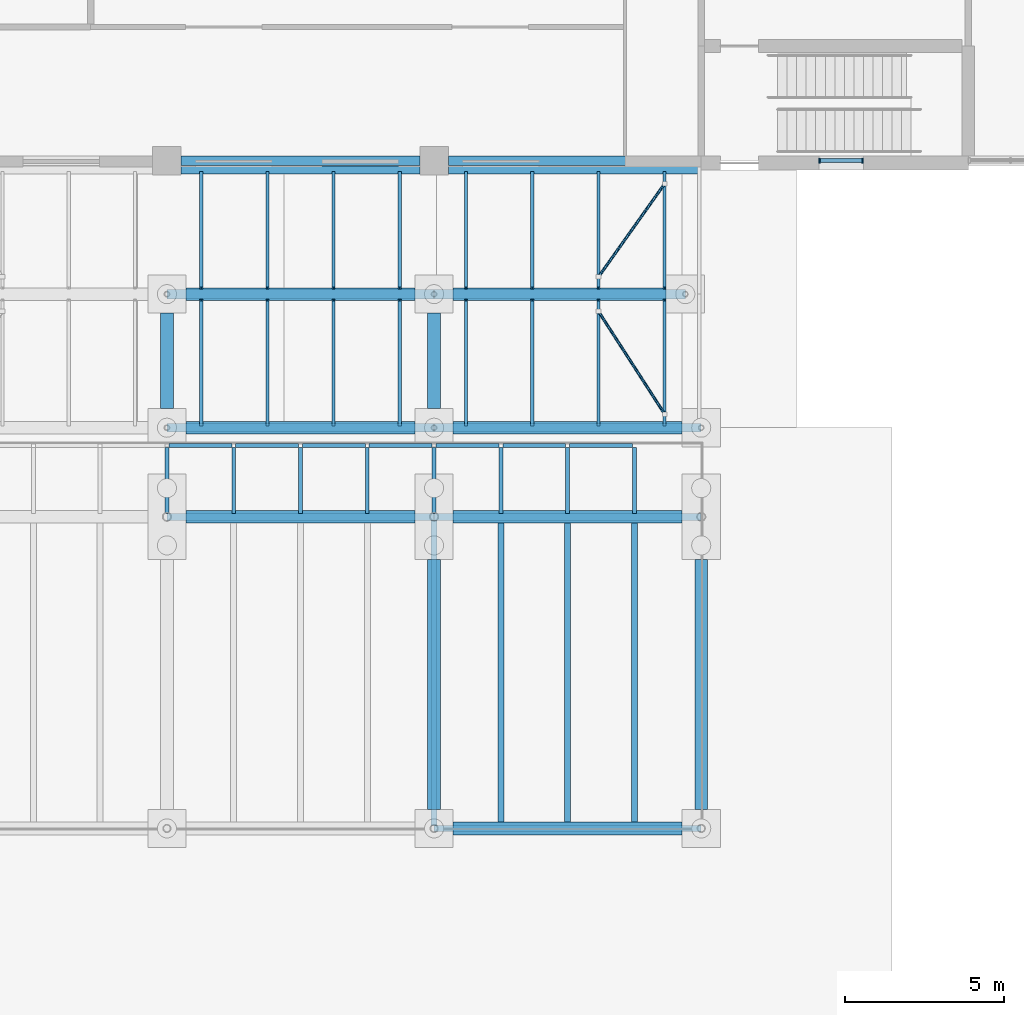
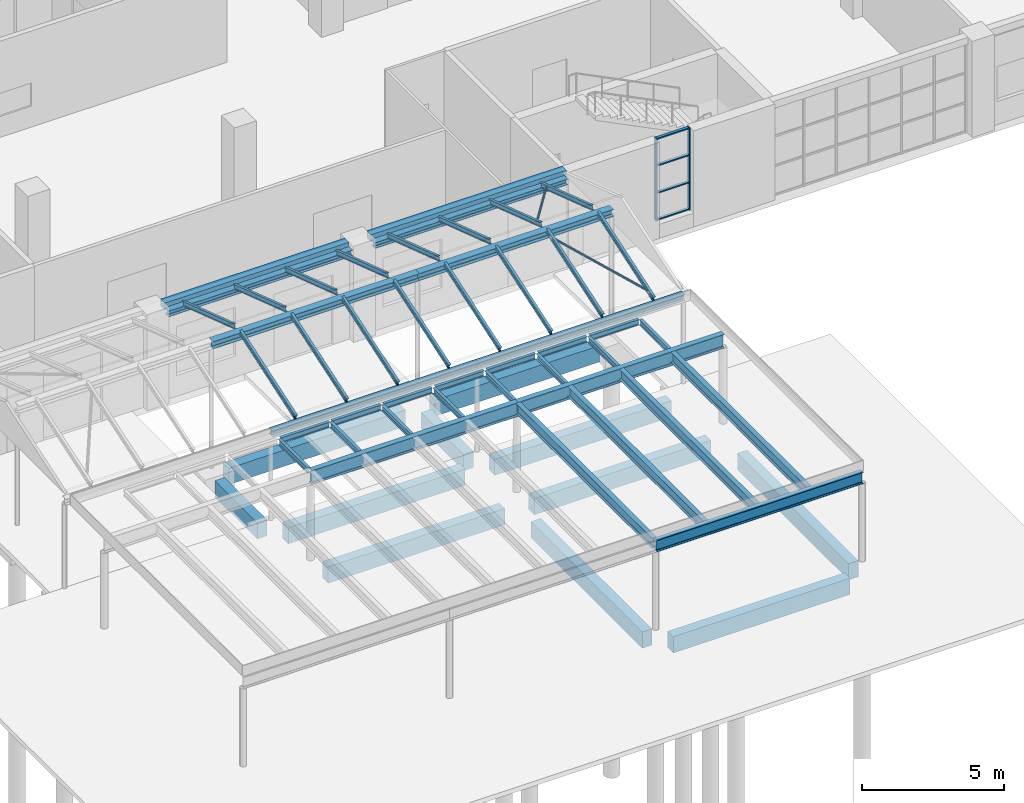
# One storey, part 35 of 138: 57 beams, 8 members, 1 element without a shape of its own.
"""IFC4 building model written with IfcOpenShell, lengths in metres."""

from ifc_helpers import new_model, si_unit, direction, frame, origin, origin_2d, place, context, subcontext, project, spatial, rectangle, hollow_circle, i_section, extrude, material, material_profile, profile_set, type_object, element, aggregate, save


model = new_model("IFC4")

# Units and contexts
model_context = context("Model", 3, precision=1e-05, world=origin(), true_north=direction((0.0, 1.0)))
body_context = subcontext(model_context, "Body", "Model", "MODEL_VIEW")
ifc_project = project(units=[si_unit("LENGTHUNIT", "METRE"), si_unit("AREAUNIT", "SQUARE_METRE"), si_unit("VOLUMEUNIT", "CUBIC_METRE"), si_unit("PLANEANGLEUNIT", "RADIAN"), si_unit("MASSUNIT", "GRAM", prefix="KILO")], contexts=[model_context])

# Site, building, storey
site_placement = place(None, origin())
site = spatial("IfcSite", under=ifc_project, at=site_placement, CompositionType="ELEMENT")
building_placement = place(site_placement, origin())
building = spatial("IfcBuilding", under=site, at=building_placement, Name="Yavir Park General Hospital", CompositionType="ELEMENT")
storey_placement = place(building_placement, origin())
storey = spatial("IfcBuildingStorey", under=building, at=storey_placement, Name="L00", CompositionType="ELEMENT", Elevation=0.0)

# Members
ifc_material_1 = material(Name="Steel S355", Category="steel")
ifc_material_profile_1 = material_profile(ifc_material_1, hollow_circle(Radius=0.04443359375, WallThickness=0.0048828125, at=origin_2d()), Name="CHS88.9x5")
ifc_profile_set_1 = profile_set([ifc_material_profile_1], Name="Steel S355")
member_type_1 = type_object("IfcMemberType", Name="CHS 88.9x5 roof brace", PredefinedType="BRACE", material=ifc_profile_set_1)
member_1_placement = place(storey_placement, frame((99.64990234375, -7.970947265625, 4.07958984375), z_axis=(-0.521743749393, 0.809323862228, 0.269774620743), x_axis=(-0.840486152676, -0.541833025166, 0.0)))
element("IfcMember", 1, at=member_1_placement, inside=storey, type_object=member_type_1, Name="RF:PORCH:frame:X:1", PredefinedType="BRACE", context=body_context, shape_type="SweptSolid", body=[
    extrude(hollow_circle(Radius=0.04443359375, WallThickness=0.0048828125, at=origin_2d()), origin(), (0.0, 0.0, 1.0), 3.989990234375),
])
member_2_placement = place(storey_placement, frame((99.64990234375, -0.72900390625, 4.179443359375), z_axis=(-0.558999459542, -0.786611295302, 0.262225617236), x_axis=(0.815135669052, -0.579270093341, 0.0)))
element("IfcMember", 2, at=member_2_placement, inside=storey, type_object=member_type_1, Name="RF:PORCH:frame:X:3", PredefinedType="BRACE", context=body_context, shape_type="SweptSolid", body=[
    extrude(hollow_circle(Radius=0.04443359375, WallThickness=0.0048828125, at=origin_2d()), origin(), (0.0, 0.0, 1.0), 3.72412109375),
])

# Beams
ifc_material_2 = material(Name="Steel S355", Category="steel")
ifc_material_profile_2 = material_profile(ifc_material_2, i_section(OverallWidth=0.260009765625, OverallDepth=0.25, WebThickness=0.007568359375, FlangeThickness=0.012451171875, FilletRadius=0.02392578125, at=origin_2d()), Name="HEA260")
ifc_profile_set_2 = profile_set([ifc_material_profile_2], Name="Steel S355")
beam_type_1 = type_object("IfcBeamType", Name="HEA 260 eave beam", PredefinedType="BEAM", material=ifc_profile_set_2)
beam_1_placement = place(storey_placement, frame((84.0, -8.39990234375, 3.741943359375), z_axis=(1.0, 0.0, 0.0), x_axis=(0.0, 1.0, 0.0)))
element("IfcBeam", 3, at=beam_1_placement, inside=storey, type_object=beam_type_1, Name="RF:PORCH:frame:E:1", PredefinedType="BEAM", context=body_context, shape_type="SweptSolid", body=[
    extrude(i_section(OverallWidth=0.260009765625, OverallDepth=0.25, WebThickness=0.007568359375, FlangeThickness=0.012451171875, FilletRadius=0.02392578125, at=origin_2d()), origin(), (0.0, 0.0, 1.0), 8.39990234375),
])
beam_2_placement = place(storey_placement, frame((92.39990234375, -8.39990234375, 3.741943359375), z_axis=(1.0, 0.0, 0.0), x_axis=(0.0, 1.0, 0.0)))
element("IfcBeam", 4, at=beam_2_placement, inside=storey, type_object=beam_type_1, Name="RF:PORCH:frame:E:2", PredefinedType="BEAM", context=body_context, shape_type="SweptSolid", body=[
    extrude(i_section(OverallWidth=0.260009765625, OverallDepth=0.25, WebThickness=0.007568359375, FlangeThickness=0.012451171875, FilletRadius=0.02392578125, at=origin_2d()), origin(), (0.0, 0.0, 1.0), 8.400146484375),
])
beam_3_placement = place(storey_placement, frame((84.449951171875, -0.300048828125, 3.842041015625), z_axis=(1.0, 0.0, 0.0), x_axis=(0.0, 1.0, 0.0)))
element("IfcBeam", 5, at=beam_3_placement, inside=storey, type_object=beam_type_1, Name="RF:PORCH:frame:E:4", PredefinedType="BEAM", context=body_context, shape_type="SweptSolid", body=[
    extrude(i_section(OverallWidth=0.260009765625, OverallDepth=0.25, WebThickness=0.007568359375, FlangeThickness=0.012451171875, FilletRadius=0.02392578125, at=origin_2d()), origin(), (0.0, 0.0, 1.0), 7.5),
])
beam_4_placement = place(storey_placement, frame((92.85009765625, -0.300048828125, 3.842041015625), z_axis=(1.0, 0.0, 0.0), x_axis=(0.0, 1.0, 0.0)))
element("IfcBeam", 6, at=beam_4_placement, inside=storey, type_object=beam_type_1, Name="RF:PORCH:frame:E:5", PredefinedType="BEAM", context=body_context, shape_type="SweptSolid", body=[
    extrude(i_section(OverallWidth=0.260009765625, OverallDepth=0.25, WebThickness=0.007568359375, FlangeThickness=0.012451171875, FilletRadius=0.02392578125, at=origin_2d()), origin(), (0.0, 0.0, 1.0), 7.849853515625),
])
ifc_material_3 = material(Name="Steel S355", Category="steel")
ifc_material_profile_3 = material_profile(ifc_material_3, i_section(OverallWidth=0.300048828125, OverallDepth=0.31005859375, WebThickness=0.009033203125, FlangeThickness=0.015380859375, FilletRadius=0.027099609375, at=origin_2d()), Name="HEA320")
ifc_profile_set_3 = profile_set([ifc_material_profile_3], Name="Steel S355")
beam_type_2 = type_object("IfcBeamType", Name="HEA 320 ridge beam", PredefinedType="BEAM", material=ifc_profile_set_3)
beam_5_placement = place(storey_placement, frame((84.0, -4.199951171875, 5.02587890625), z_axis=(1.0, 0.0, 0.0), x_axis=(0.0, 1.0, 0.0)))
element("IfcBeam", 7, at=beam_5_placement, inside=storey, type_object=beam_type_2, Name="RF:PORCH:frame:G:1", PredefinedType="BEAM", context=body_context, shape_type="SweptSolid", body=[
    extrude(i_section(OverallWidth=0.300048828125, OverallDepth=0.31005859375, WebThickness=0.009033203125, FlangeThickness=0.015380859375, FilletRadius=0.027099609375, at=origin_2d()), origin(), (0.0, 0.0, 1.0), 8.39990234375),
])
beam_6_placement = place(storey_placement, frame((92.39990234375, -4.199951171875, 5.02587890625), z_axis=(1.0, 0.0, 0.0), x_axis=(0.0, 1.0, 0.0)))
element("IfcBeam", 8, at=beam_6_placement, inside=storey, type_object=beam_type_2, Name="RF:PORCH:frame:G:2", PredefinedType="BEAM", context=body_context, shape_type="SweptSolid", body=[
    extrude(i_section(OverallWidth=0.300048828125, OverallDepth=0.31005859375, WebThickness=0.009033203125, FlangeThickness=0.015380859375, FilletRadius=0.027099609375, at=origin_2d()), origin(), (0.0, 0.0, 1.0), 7.900146484375),
])
ifc_material_4 = material(Name="Steel S355", Category="steel")
ifc_material_profile_4 = material_profile(ifc_material_4, i_section(OverallWidth=0.10009765625, OverallDepth=0.199951171875, WebThickness=0.005615234375, FlangeThickness=0.008544921875, FilletRadius=0.011962890625, at=origin_2d()), Name="IPE200")
ifc_profile_set_4 = profile_set([ifc_material_profile_4], Name="Steel S355")
beam_type_3 = type_object("IfcBeamType", Name="IPE 200 rafter", PredefinedType="JOIST", material=ifc_profile_set_4)
beam_7_placement = place(storey_placement, frame((85.077392578125, -8.32080078125, 3.962890625), z_axis=(0.0, 0.948677403283, 0.316245449771), x_axis=(-1.0, 0.0, 0.0)))
element("IfcBeam", 9, at=beam_7_placement, inside=storey, type_object=beam_type_3, Name="RF:PORCH:frame:R:8", PredefinedType="JOIST", context=body_context, shape_type="SweptSolid", body=[
    extrude(i_section(OverallWidth=0.10009765625, OverallDepth=0.199951171875, WebThickness=0.005615234375, FlangeThickness=0.008544921875, FilletRadius=0.011962890625, at=origin_2d()), origin(), (0.0, 0.0, 1.0), 4.141845703125),
])
beam_8_placement = place(storey_placement, frame((85.077392578125, -4.00830078125, 5.272705078125), z_axis=(0.0, 0.948664150718, -0.316285202217), x_axis=(-1.0, 0.0, 0.0)))
element("IfcBeam", 10, at=beam_8_placement, inside=storey, type_object=beam_type_3, Name="RF:PORCH:frame:R:9", PredefinedType="JOIST", context=body_context, shape_type="SweptSolid", body=[
    extrude(i_section(OverallWidth=0.10009765625, OverallDepth=0.199951171875, WebThickness=0.005615234375, FlangeThickness=0.008544921875, FilletRadius=0.011962890625, at=origin_2d()), origin(), (0.0, 0.0, 1.0), 3.825439453125),
])
beam_9_placement = place(storey_placement, frame((87.1591796875, -8.32080078125, 3.962890625), z_axis=(0.0, 0.948677403283, 0.316245449771), x_axis=(-1.0, 0.0, 0.0)))
element("IfcBeam", 11, at=beam_9_placement, inside=storey, type_object=beam_type_3, Name="RF:PORCH:frame:R:10", PredefinedType="JOIST", context=body_context, shape_type="SweptSolid", body=[
    extrude(i_section(OverallWidth=0.10009765625, OverallDepth=0.199951171875, WebThickness=0.005615234375, FlangeThickness=0.008544921875, FilletRadius=0.011962890625, at=origin_2d()), origin(), (0.0, 0.0, 1.0), 4.141845703125),
])
beam_10_placement = place(storey_placement, frame((87.1591796875, -4.00830078125, 5.272705078125), z_axis=(0.0, 0.948664150718, -0.316285202217), x_axis=(-1.0, 0.0, 0.0)))
element("IfcBeam", 12, at=beam_10_placement, inside=storey, type_object=beam_type_3, Name="RF:PORCH:frame:R:11", PredefinedType="JOIST", context=body_context, shape_type="SweptSolid", body=[
    extrude(i_section(OverallWidth=0.10009765625, OverallDepth=0.199951171875, WebThickness=0.005615234375, FlangeThickness=0.008544921875, FilletRadius=0.011962890625, at=origin_2d()), origin(), (0.0, 0.0, 1.0), 3.825439453125),
])
beam_11_placement = place(storey_placement, frame((89.240966796875, -8.32080078125, 3.962890625), z_axis=(0.0, 0.948677403283, 0.316245449771), x_axis=(-1.0, 0.0, 0.0)))
element("IfcBeam", 13, at=beam_11_placement, inside=storey, type_object=beam_type_3, Name="RF:PORCH:frame:R:12", PredefinedType="JOIST", context=body_context, shape_type="SweptSolid", body=[
    extrude(i_section(OverallWidth=0.10009765625, OverallDepth=0.199951171875, WebThickness=0.005615234375, FlangeThickness=0.008544921875, FilletRadius=0.011962890625, at=origin_2d()), origin(), (0.0, 0.0, 1.0), 4.141845703125),
])
beam_12_placement = place(storey_placement, frame((89.240966796875, -4.00830078125, 5.272705078125), z_axis=(0.0, 0.948664150718, -0.316285202217), x_axis=(-1.0, 0.0, 0.0)))
element("IfcBeam", 14, at=beam_12_placement, inside=storey, type_object=beam_type_3, Name="RF:PORCH:frame:R:13", PredefinedType="JOIST", context=body_context, shape_type="SweptSolid", body=[
    extrude(i_section(OverallWidth=0.10009765625, OverallDepth=0.199951171875, WebThickness=0.005615234375, FlangeThickness=0.008544921875, FilletRadius=0.011962890625, at=origin_2d()), origin(), (0.0, 0.0, 1.0), 3.825439453125),
])
beam_13_placement = place(storey_placement, frame((91.32275390625, -8.32080078125, 3.962890625), z_axis=(0.0, 0.948677403283, 0.316245449771), x_axis=(-1.0, 0.0, 0.0)))
element("IfcBeam", 15, at=beam_13_placement, inside=storey, type_object=beam_type_3, Name="RF:PORCH:frame:R:14", PredefinedType="JOIST", context=body_context, shape_type="SweptSolid", body=[
    extrude(i_section(OverallWidth=0.10009765625, OverallDepth=0.199951171875, WebThickness=0.005615234375, FlangeThickness=0.008544921875, FilletRadius=0.011962890625, at=origin_2d()), origin(), (0.0, 0.0, 1.0), 4.141845703125),
])
beam_14_placement = place(storey_placement, frame((91.32275390625, -4.00830078125, 5.272705078125), z_axis=(0.0, 0.948664150718, -0.316285202217), x_axis=(-1.0, 0.0, 0.0)))
element("IfcBeam", 16, at=beam_14_placement, inside=storey, type_object=beam_type_3, Name="RF:PORCH:frame:R:15", PredefinedType="JOIST", context=body_context, shape_type="SweptSolid", body=[
    extrude(i_section(OverallWidth=0.10009765625, OverallDepth=0.199951171875, WebThickness=0.005615234375, FlangeThickness=0.008544921875, FilletRadius=0.011962890625, at=origin_2d()), origin(), (0.0, 0.0, 1.0), 3.825439453125),
])
beam_15_placement = place(storey_placement, frame((93.404541015625, -8.32080078125, 3.962890625), z_axis=(0.0, 0.948677403283, 0.316245449771), x_axis=(-1.0, 0.0, 0.0)))
element("IfcBeam", 17, at=beam_15_placement, inside=storey, type_object=beam_type_3, Name="RF:PORCH:frame:R:16", PredefinedType="JOIST", context=body_context, shape_type="SweptSolid", body=[
    extrude(i_section(OverallWidth=0.10009765625, OverallDepth=0.199951171875, WebThickness=0.005615234375, FlangeThickness=0.008544921875, FilletRadius=0.011962890625, at=origin_2d()), origin(), (0.0, 0.0, 1.0), 4.141845703125),
])
beam_16_placement = place(storey_placement, frame((93.404541015625, -4.00830078125, 5.272705078125), z_axis=(0.0, 0.948664150718, -0.316285202217), x_axis=(-1.0, 0.0, 0.0)))
element("IfcBeam", 18, at=beam_16_placement, inside=storey, type_object=beam_type_3, Name="RF:PORCH:frame:R:17", PredefinedType="JOIST", context=body_context, shape_type="SweptSolid", body=[
    extrude(i_section(OverallWidth=0.10009765625, OverallDepth=0.199951171875, WebThickness=0.005615234375, FlangeThickness=0.008544921875, FilletRadius=0.011962890625, at=origin_2d()), origin(), (0.0, 0.0, 1.0), 3.825439453125),
])
beam_17_placement = place(storey_placement, frame((95.486328125, -8.32080078125, 3.962890625), z_axis=(0.0, 0.948677403283, 0.316245449771), x_axis=(-1.0, 0.0, 0.0)))
element("IfcBeam", 19, at=beam_17_placement, inside=storey, type_object=beam_type_3, Name="RF:PORCH:frame:R:18", PredefinedType="JOIST", context=body_context, shape_type="SweptSolid", body=[
    extrude(i_section(OverallWidth=0.10009765625, OverallDepth=0.199951171875, WebThickness=0.005615234375, FlangeThickness=0.008544921875, FilletRadius=0.011962890625, at=origin_2d()), origin(), (0.0, 0.0, 1.0), 4.141845703125),
])
beam_18_placement = place(storey_placement, frame((95.486328125, -4.00830078125, 5.272705078125), z_axis=(0.0, 0.948664150718, -0.316285202217), x_axis=(-1.0, 0.0, 0.0)))
element("IfcBeam", 20, at=beam_18_placement, inside=storey, type_object=beam_type_3, Name="RF:PORCH:frame:R:19", PredefinedType="JOIST", context=body_context, shape_type="SweptSolid", body=[
    extrude(i_section(OverallWidth=0.10009765625, OverallDepth=0.199951171875, WebThickness=0.005615234375, FlangeThickness=0.008544921875, FilletRadius=0.011962890625, at=origin_2d()), origin(), (0.0, 0.0, 1.0), 3.825439453125),
])
beam_19_placement = place(storey_placement, frame((97.568115234375, -8.32080078125, 3.962890625), z_axis=(0.0, 0.948677403283, 0.316245449771), x_axis=(-1.0, 0.0, 0.0)))
element("IfcBeam", 21, at=beam_19_placement, inside=storey, type_object=beam_type_3, Name="RF:PORCH:frame:R:20", PredefinedType="JOIST", context=body_context, shape_type="SweptSolid", body=[
    extrude(i_section(OverallWidth=0.10009765625, OverallDepth=0.199951171875, WebThickness=0.005615234375, FlangeThickness=0.008544921875, FilletRadius=0.011962890625, at=origin_2d()), origin(), (0.0, 0.0, 1.0), 4.141845703125),
])
beam_20_placement = place(storey_placement, frame((97.568115234375, -4.00830078125, 5.272705078125), z_axis=(0.0, 0.948664150718, -0.316285202217), x_axis=(-1.0, 0.0, 0.0)))
element("IfcBeam", 22, at=beam_20_placement, inside=storey, type_object=beam_type_3, Name="RF:PORCH:frame:R:21", PredefinedType="JOIST", context=body_context, shape_type="SweptSolid", body=[
    extrude(i_section(OverallWidth=0.10009765625, OverallDepth=0.199951171875, WebThickness=0.005615234375, FlangeThickness=0.008544921875, FilletRadius=0.011962890625, at=origin_2d()), origin(), (0.0, 0.0, 1.0), 3.825439453125),
])
beam_21_placement = place(storey_placement, frame((99.64990234375, -8.32080078125, 3.962890625), z_axis=(0.0, 0.948677403283, 0.316245449771), x_axis=(-1.0, 0.0, 0.0)))
element("IfcBeam", 23, at=beam_21_placement, inside=storey, type_object=beam_type_3, Name="RF:PORCH:frame:R:22", PredefinedType="JOIST", context=body_context, shape_type="SweptSolid", body=[
    extrude(i_section(OverallWidth=0.10009765625, OverallDepth=0.199951171875, WebThickness=0.005615234375, FlangeThickness=0.008544921875, FilletRadius=0.011962890625, at=origin_2d()), origin(), (0.0, 0.0, 1.0), 4.141845703125),
])
beam_22_placement = place(storey_placement, frame((99.64990234375, -4.00830078125, 5.272705078125), z_axis=(0.0, 0.948664150718, -0.316285202217), x_axis=(-1.0, 0.0, 0.0)))
element("IfcBeam", 24, at=beam_22_placement, inside=storey, type_object=beam_type_3, Name="RF:PORCH:frame:R:23", PredefinedType="JOIST", context=body_context, shape_type="SweptSolid", body=[
    extrude(i_section(OverallWidth=0.10009765625, OverallDepth=0.199951171875, WebThickness=0.005615234375, FlangeThickness=0.008544921875, FilletRadius=0.011962890625, at=origin_2d()), origin(), (0.0, 0.0, 1.0), 3.825439453125),
])
ifc_material_5 = material(Name="Steel S355", Category="steel")
ifc_material_profile_5 = material_profile(ifc_material_5, i_section(OverallWidth=0.1201171875, OverallDepth=0.239990234375, WebThickness=0.006103515625, FlangeThickness=0.009765625, FilletRadius=0.014892578125, at=origin_2d()), Name="IPE240")
ifc_profile_set_5 = profile_set([ifc_material_profile_5], Name="Steel S355")
beam_type_4 = type_object("IfcBeamType", Name="IPE 240 cantilever secondary beam, up to 2.5 m", PredefinedType="JOIST", material=ifc_profile_set_5)
for number, where, z_axis, x_axis, name in (
    (25, (84.0, -9.02001953125, 3.72998046875), (0.0, -1.0, 0.0), (1.0, 0.0, 0.0), "B:DROP:J4-0"),
    (26, (86.10009765625, -9.02001953125, 3.72998046875), (0.0, -1.0, 0.0), (1.0, 0.0, 0.0), "B:DROP:J5-0"),
    (27, (88.199951171875, -9.02001953125, 3.72998046875), (0.0, -1.0, 0.0), (1.0, 0.0, 0.0), "B:DROP:J6-0"),
    (28, (90.300048828125, -9.02001953125, 3.72998046875), (0.0, -1.0, 0.0), (1.0, 0.0, 0.0), "B:DROP:J7-0"),
    (29, (92.39990234375, -9.02001953125, 3.72998046875), (0.0, -1.0, 0.0), (1.0, 0.0, 0.0), "B:DROP:J8-0"),
    (30, (94.5, -9.02001953125, 3.72998046875), (0.0, -1.0, 0.0), (1.0, 0.0, 0.0), "B:DROP:J9-0"),
    (31, (96.60009765625, -9.02001953125, 3.72998046875), (0.0, -1.0, 0.0), (1.0, 0.0, 0.0), "B:DROP:J10-0"),
    (32, (98.699951171875, -9.02001953125, 3.72998046875), (0.0, -1.0, 0.0), (1.0, 0.0, 0.0), "B:DROP:J11-0"),
):
    element("IfcBeam", number, at=place(storey_placement, frame(where, z_axis=z_axis, x_axis=x_axis)), inside=storey, type_object=beam_type_4, Name=name, PredefinedType="JOIST", context=body_context, shape_type="SweptSolid", body=[
        extrude(i_section(OverallWidth=0.1201171875, OverallDepth=0.239990234375, WebThickness=0.006103515625, FlangeThickness=0.009765625, FilletRadius=0.014892578125, at=origin_2d()), origin(), (0.0, 0.0, 1.0), 2.070068359375),
    ])
ifc_material_6 = material(Name="Steel S355", Category="steel")
ifc_material_profile_6 = material_profile(ifc_material_6, i_section(OverallWidth=0.1201171875, OverallDepth=0.239990234375, WebThickness=0.006103515625, FlangeThickness=0.009765625, FilletRadius=0.014892578125, at=origin_2d()), Name="IPE240")
ifc_profile_set_6 = profile_set([ifc_material_profile_6], Name="Steel S355")
beam_type_5 = type_object("IfcBeamType", Name="IPE 240 edge trimmer, up to 2 m span", PredefinedType="BEAM", material=ifc_profile_set_6)
for number, where, z_axis, x_axis, name in (
    (33, (84.06005859375, -8.9599609375, 3.72998046875), (1.0, 0.0, 0.0), (0.0, 1.0, 0.0), "B:DROP:T4"),
    (34, (86.159912109375, -8.9599609375, 3.72998046875), (1.0, 0.0, 0.0), (0.0, 1.0, 0.0), "B:DROP:T5"),
    (35, (88.260009765625, -8.9599609375, 3.72998046875), (1.0, 0.0, 0.0), (0.0, 1.0, 0.0), "B:DROP:T6"),
    (36, (90.360107421875, -8.9599609375, 3.72998046875), (1.0, 0.0, 0.0), (0.0, 1.0, 0.0), "B:DROP:T7"),
    (37, (92.4599609375, -8.9599609375, 3.72998046875), (1.0, 0.0, 0.0), (0.0, 1.0, 0.0), "B:DROP:T8"),
    (38, (94.56005859375, -8.9599609375, 3.72998046875), (1.0, 0.0, 0.0), (0.0, 1.0, 0.0), "B:DROP:T9"),
    (39, (96.659912109375, -8.9599609375, 3.72998046875), (1.0, 0.0, 0.0), (0.0, 1.0, 0.0), "B:DROP:T10"),
):
    element("IfcBeam", number, at=place(storey_placement, frame(where, z_axis=z_axis, x_axis=x_axis)), inside=storey, type_object=beam_type_5, Name=name, PredefinedType="BEAM", context=body_context, shape_type="SweptSolid", body=[
        extrude(i_section(OverallWidth=0.1201171875, OverallDepth=0.239990234375, WebThickness=0.006103515625, FlangeThickness=0.009765625, FilletRadius=0.014892578125, at=origin_2d()), origin(), (0.0, 0.0, 1.0), 1.97998046875),
    ])
ifc_material_7 = material(Name="Steel S355", Category="steel")
ifc_material_profile_7 = material_profile(ifc_material_7, i_section(OverallWidth=0.18994140625, OverallDepth=0.449951171875, WebThickness=0.009521484375, FlangeThickness=0.0146484375, FilletRadius=0.02099609375, at=origin_2d()), Name="IPE450")
ifc_profile_set_7 = profile_set([ifc_material_profile_7], Name="Steel S355")
beam_type_6 = type_object("IfcBeamType", Name="IPE 450 secondary beam, up to 10 m span", PredefinedType="JOIST", material=ifc_profile_set_7)
for number, where, z_axis, x_axis, name in (
    (40, (92.39990234375, -11.31005859375, 3.625), (0.0, -1.0, 0.0), (1.0, 0.0, 0.0), "B:DROP:J8-1"),
    (41, (94.5, -11.31005859375, 3.625), (0.0, -1.0, 0.0), (1.0, 0.0, 0.0), "B:DROP:J9-1"),
    (42, (96.60009765625, -11.31005859375, 3.625), (0.0, -1.0, 0.0), (1.0, 0.0, 0.0), "B:DROP:J10-1"),
    (43, (98.699951171875, -11.31005859375, 3.625), (0.0, -1.0, 0.0), (1.0, 0.0, 0.0), "B:DROP:J11-1"),
):
    element("IfcBeam", number, at=place(storey_placement, frame(where, z_axis=z_axis, x_axis=x_axis)), inside=storey, type_object=beam_type_6, Name=name, PredefinedType="JOIST", context=body_context, shape_type="SweptSolid", body=[
        extrude(i_section(OverallWidth=0.18994140625, OverallDepth=0.449951171875, WebThickness=0.009521484375, FlangeThickness=0.0146484375, FilletRadius=0.02099609375, at=origin_2d()), origin(), (0.0, 0.0, 1.0), 9.58984375),
    ])
ifc_material_8 = material(Name="Steel S355", Category="steel")
ifc_material_profile_8 = material_profile(ifc_material_8, i_section(OverallWidth=0.199951171875, OverallDepth=0.5, WebThickness=0.01025390625, FlangeThickness=0.01611328125, FilletRadius=0.02099609375, at=origin_2d()), Name="IPE500")
ifc_profile_set_8 = profile_set([ifc_material_profile_8], Name="Steel S355")
beam_type_7 = type_object("IfcBeamType", Name="IPE 500 main beam, outer row, up to 8.5 m span", PredefinedType="BEAM", material=ifc_profile_set_8)
beam_23_placement = place(storey_placement, frame((92.39990234375, -21.0, 3.60009765625), z_axis=(1.0, 0.0, 0.0), x_axis=(0.0, 1.0, 0.0)))
element("IfcBeam", 44, at=beam_23_placement, inside=storey, type_object=beam_type_7, Name="B:DROP:M12", PredefinedType="BEAM", context=body_context, shape_type="SweptSolid", body=[
    extrude(i_section(OverallWidth=0.199951171875, OverallDepth=0.5, WebThickness=0.01025390625, FlangeThickness=0.01611328125, FilletRadius=0.02099609375, at=origin_2d()), origin(), (0.0, 0.0, 1.0), 8.400146484375),
])
ifc_material_9 = material(Name="Steel S355", Category="steel")
ifc_material_profile_9 = material_profile(ifc_material_9, i_section(OverallWidth=0.219970703125, OverallDepth=0.60009765625, WebThickness=0.011962890625, FlangeThickness=0.01904296875, FilletRadius=0.02392578125, at=origin_2d()), Name="IPE600")
ifc_profile_set_9 = profile_set([ifc_material_profile_9], Name="Steel S355")
beam_type_8 = type_object("IfcBeamType", Name="IPE 600 main beam, inner row, up to 8.5 m span", PredefinedType="BEAM", material=ifc_profile_set_9)
beam_24_placement = place(storey_placement, frame((84.0, -11.199951171875, 3.550048828125), z_axis=(1.0, 0.0, 0.0), x_axis=(0.0, 1.0, 0.0)))
element("IfcBeam", 45, at=beam_24_placement, inside=storey, type_object=beam_type_8, Name="B:DROP:M01", PredefinedType="BEAM", context=body_context, shape_type="SweptSolid", body=[
    extrude(i_section(OverallWidth=0.219970703125, OverallDepth=0.60009765625, WebThickness=0.011962890625, FlangeThickness=0.01904296875, FilletRadius=0.02392578125, at=origin_2d()), origin(), (0.0, 0.0, 1.0), 8.39990234375),
])
beam_25_placement = place(storey_placement, frame((92.39990234375, -11.199951171875, 3.550048828125), z_axis=(1.0, 0.0, 0.0), x_axis=(0.0, 1.0, 0.0)))
element("IfcBeam", 46, at=beam_25_placement, inside=storey, type_object=beam_type_8, Name="B:DROP:M02", PredefinedType="BEAM", context=body_context, shape_type="SweptSolid", body=[
    extrude(i_section(OverallWidth=0.219970703125, OverallDepth=0.60009765625, WebThickness=0.011962890625, FlangeThickness=0.01904296875, FilletRadius=0.02392578125, at=origin_2d()), origin(), (0.0, 0.0, 1.0), 8.400146484375),
])
ifc_material_10 = material(Name="Concrete C35/45", Category="concrete")
ifc_material_profile_10 = material_profile(ifc_material_10, rectangle(XDim=0.300048828125, YDim=0.300048828125, at=origin_2d()), Name="RC300x300")
ifc_profile_set_10 = profile_set([ifc_material_profile_10], Name="Concrete C35/45")
beam_type_9 = type_object("IfcBeamType", Name="RC BEAM 300x300 edge beam", PredefinedType="BEAM", material=ifc_profile_set_10)
beam_26_placement = place(storey_placement, frame((84.449951171875, 0.0, 3.989990234375), z_axis=(1.0, 0.0, 0.0), x_axis=(0.0, 1.0, 0.0)))
element("IfcBeam", 47, at=beam_26_placement, inside=storey, type_object=beam_type_9, Name="B:EDGE:L00:005", PredefinedType="BEAM", context=body_context, shape_type="SweptSolid", body=[
    extrude(rectangle(XDim=0.300048828125, YDim=0.300048828125, at=origin_2d()), origin(), (0.0, 0.0, 1.0), 7.5),
])
beam_27_placement = place(storey_placement, frame((92.85009765625, 0.0, 3.989990234375), z_axis=(1.0, 0.0, 0.0), x_axis=(0.0, 1.0, 0.0)))
element("IfcBeam", 48, at=beam_27_placement, inside=storey, type_object=beam_type_9, Name="B:EDGE:L00:006", PredefinedType="BEAM", context=body_context, shape_type="SweptSolid", body=[
    extrude(rectangle(XDim=0.300048828125, YDim=0.300048828125, at=origin_2d()), origin(), (0.0, 0.0, 1.0), 7.949951171875),
])
ifc_material_11 = material(Name="Concrete C35/45", Category="concrete")
ifc_material_profile_11 = material_profile(ifc_material_11, rectangle(XDim=0.39990234375, YDim=0.699951171875, at=origin_2d()), Name="RC400x700")
ifc_profile_set_11 = profile_set([ifc_material_profile_11], Name="Concrete C35/45")
beam_type_10 = type_object("IfcBeamType", Name="RC BEAM 400x700 ground beam", PredefinedType="BEAM", material=ifc_profile_set_11)
for number, where, z_axis, x_axis, name in (
    (49, (84.60009765625, -11.199951171875, -0.800048828125), (1.0, 0.0, 0.0), (0.0, 1.0, 0.0), "B:GND:DROP:C01:DROP:C02"),
    (50, (93.0, -11.199951171875, -0.800048828125), (1.0, 0.0, 0.0), (0.0, 1.0, 0.0), "B:GND:DROP:C02:DROP:C03"),
    (51, (93.0, -21.0, -0.800048828125), (1.0, 0.0, 0.0), (0.0, 1.0, 0.0), "B:GND:DROP:C12:DROP:C13"),
    (52, (84.60009765625, -4.199951171875, -0.800048828125), (1.0, 0.0, 0.0), (0.0, 1.0, 0.0), "B:GND:PORCH:K1:PORCH:K2"),
):
    element("IfcBeam", number, at=place(storey_placement, frame(where, z_axis=z_axis, x_axis=x_axis)), inside=storey, type_object=beam_type_10, Name=name, PredefinedType="BEAM", context=body_context, shape_type="SweptSolid", body=[
        extrude(rectangle(XDim=0.39990234375, YDim=0.699951171875, at=origin_2d()), origin(), (0.0, 0.0, 1.0), 7.199951171875),
    ])
beam_28_placement = place(storey_placement, frame((93.0, -4.199951171875, -0.800048828125), z_axis=(1.0, 0.0, 0.0), x_axis=(0.0, 1.0, 0.0)))
element("IfcBeam", 53, at=beam_28_placement, inside=storey, type_object=beam_type_10, Name="B:GND:PORCH:K2:PORCH:K3", PredefinedType="BEAM", context=body_context, shape_type="SweptSolid", body=[
    extrude(rectangle(XDim=0.39990234375, YDim=0.699951171875, at=origin_2d()), origin(), (0.0, 0.0, 1.0), 6.699951171875),
])
for number, where, z_axis, x_axis, name in (
    (54, (84.60009765625, -8.39990234375, -0.800048828125), (1.0, 0.0, 0.0), (0.0, 1.0, 0.0), "B:GND:PORCH:SS1:PORCH:SS2"),
    (55, (93.0, -8.39990234375, -0.800048828125), (1.0, 0.0, 0.0), (0.0, 1.0, 0.0), "B:GND:PORCH:SS2:PORCH:SS3"),
):
    element("IfcBeam", number, at=place(storey_placement, frame(where, z_axis=z_axis, x_axis=x_axis)), inside=storey, type_object=beam_type_10, Name=name, PredefinedType="BEAM", context=body_context, shape_type="SweptSolid", body=[
        extrude(rectangle(XDim=0.39990234375, YDim=0.699951171875, at=origin_2d()), origin(), (0.0, 0.0, 1.0), 7.199951171875),
    ])
for number, where, z_axis, x_axis, name in (
    (56, (92.39990234375, -20.39990234375, -0.800048828125), (0.0, 1.0, 0.0), (-1.0, 0.0, 0.0), "B:GND:DROP:C12:DROP:C02"),
    (57, (100.800048828125, -20.39990234375, -0.800048828125), (0.0, 1.0, 0.0), (-1.0, 0.0, 0.0), "B:GND:DROP:C13:DROP:C03"),
):
    element("IfcBeam", number, at=place(storey_placement, frame(where, z_axis=z_axis, x_axis=x_axis)), inside=storey, type_object=beam_type_10, Name=name, PredefinedType="BEAM", context=body_context, shape_type="SweptSolid", body=[
        extrude(rectangle(XDim=0.39990234375, YDim=0.699951171875, at=origin_2d()), origin(), (0.0, 0.0, 1.0), 7.849853515625),
    ])
for number, where, z_axis, x_axis, name in (
    (58, (84.0, -7.800048828125, -0.800048828125), (0.0, 1.0, 0.0), (-1.0, 0.0, 0.0), "B:GND:PORCH:SS1:PORCH:K1"),
    (59, (92.39990234375, -7.800048828125, -0.800048828125), (0.0, 1.0, 0.0), (-1.0, 0.0, 0.0), "B:GND:PORCH:SS2:PORCH:K2"),
):
    element("IfcBeam", number, at=place(storey_placement, frame(where, z_axis=z_axis, x_axis=x_axis)), inside=storey, type_object=beam_type_10, Name=name, PredefinedType="BEAM", context=body_context, shape_type="SweptSolid", body=[
        extrude(rectangle(XDim=0.39990234375, YDim=0.699951171875, at=origin_2d()), origin(), (0.0, 0.0, 1.0), 3.0),
    ])

# Curtain wall, members
ifc_material_12 = material(Name="Aluminium curtain wall frame with insulated glazing", Category="aluminium")
curtain_wall_type = type_object("IfcCurtainWallType", Name="Stair light slot, ground floor, 3540 high, 1400 module", PredefinedType="NOTDEFINED", material=ifc_material_12)
curtain_wall_placement = place(storey_placement, origin())
curtain_wall = element("IfcCurtainWall", 60, at=curtain_wall_placement, inside=storey, type_object=curtain_wall_type, Name="CW19 L00-003", PredefinedType="NOTDEFINED")
ifc_material_13 = material(Name="Aluminium", Category="aluminium")
ifc_material_profile_12 = material_profile(ifc_material_13, rectangle(XDim=0.159912109375, YDim=0.050048828125, at=origin_2d()), Name="AL 50x160")
ifc_profile_set_12 = profile_set([ifc_material_profile_12], Name="Aluminium")
member_type_2 = type_object("IfcMemberType", Name="Stair light slot, ground floor, 3540 high mullion 50 x 160", PredefinedType="MULLION", material=ifc_profile_set_12)
member_3_placement = place(storey_placement, frame((104.52490234375, 0.0, 0.60009765625), z_axis=(0.0, 0.0, 1.0), x_axis=(0.0, 1.0, 0.0)))
member_3 = element("IfcMember", 61, at=member_3_placement, type_object=member_type_2, Name="CW19 mullion 1", PredefinedType="MULLION", context=body_context, shape_type="SweptSolid", body=[
    extrude(rectangle(XDim=0.159912109375, YDim=0.050048828125, at=origin_2d()), origin(), (0.0, 0.0, 1.0), 3.539794921875),
])
member_4_placement = place(storey_placement, frame((105.875, 0.0, 0.60009765625), z_axis=(0.0, 0.0, 1.0), x_axis=(0.0, 1.0, 0.0)))
member_4 = element("IfcMember", 62, at=member_4_placement, type_object=member_type_2, Name="CW19 mullion 2", PredefinedType="MULLION", context=body_context, shape_type="SweptSolid", body=[
    extrude(rectangle(XDim=0.159912109375, YDim=0.050048828125, at=origin_2d()), origin(), (0.0, 0.0, 1.0), 3.539794921875),
])
ifc_material_14 = material(Name="Aluminium", Category="aluminium")
ifc_material_profile_13 = material_profile(ifc_material_14, rectangle(XDim=0.1201171875, YDim=0.050048828125, at=origin_2d()), Name="AL 120x50")
ifc_profile_set_13 = profile_set([ifc_material_profile_13], Name="Aluminium")
member_type_3 = type_object("IfcMemberType", Name="Stair light slot, ground floor, 3540 high transom 50 x 120", PredefinedType="MULLION", material=ifc_profile_set_13)
member_5_placement = place(storey_placement, frame((104.550048828125, 0.0, 0.625), z_axis=(1.0, 0.0, 0.0), x_axis=(0.0, 1.0, 0.0)))
member_5 = element("IfcMember", 63, at=member_5_placement, type_object=member_type_3, Name="CW19 transom 1.1", PredefinedType="MULLION", context=body_context, shape_type="SweptSolid", body=[
    extrude(rectangle(XDim=0.1201171875, YDim=0.050048828125, at=origin_2d()), origin(), (0.0, 0.0, 1.0), 1.300048828125),
])
member_6_placement = place(storey_placement, frame((104.550048828125, 0.0, 1.780029296875), z_axis=(1.0, 0.0, 0.0), x_axis=(0.0, 1.0, 0.0)))
member_6 = element("IfcMember", 64, at=member_6_placement, type_object=member_type_3, Name="CW19 transom 1.2", PredefinedType="MULLION", context=body_context, shape_type="SweptSolid", body=[
    extrude(rectangle(XDim=0.1201171875, YDim=0.050048828125, at=origin_2d()), origin(), (0.0, 0.0, 1.0), 1.300048828125),
])
member_7_placement = place(storey_placement, frame((104.550048828125, 0.0, 2.9599609375), z_axis=(1.0, 0.0, 0.0), x_axis=(0.0, 1.0, 0.0)))
member_7 = element("IfcMember", 65, at=member_7_placement, type_object=member_type_3, Name="CW19 transom 1.3", PredefinedType="MULLION", context=body_context, shape_type="SweptSolid", body=[
    extrude(rectangle(XDim=0.1201171875, YDim=0.050048828125, at=origin_2d()), origin(), (0.0, 0.0, 1.0), 1.300048828125),
])
member_8_placement = place(storey_placement, frame((104.550048828125, 0.0, 4.114990234375), z_axis=(1.0, 0.0, 0.0), x_axis=(0.0, 1.0, 0.0)))
member_8 = element("IfcMember", 66, at=member_8_placement, type_object=member_type_3, Name="CW19 transom 1.4", PredefinedType="MULLION", context=body_context, shape_type="SweptSolid", body=[
    extrude(rectangle(XDim=0.1201171875, YDim=0.050048828125, at=origin_2d()), origin(), (0.0, 0.0, 1.0), 1.300048828125),
])
aggregate(curtain_wall, [member_3, member_4, member_5, member_6, member_7, member_8])

save(model, "model.ifc")
